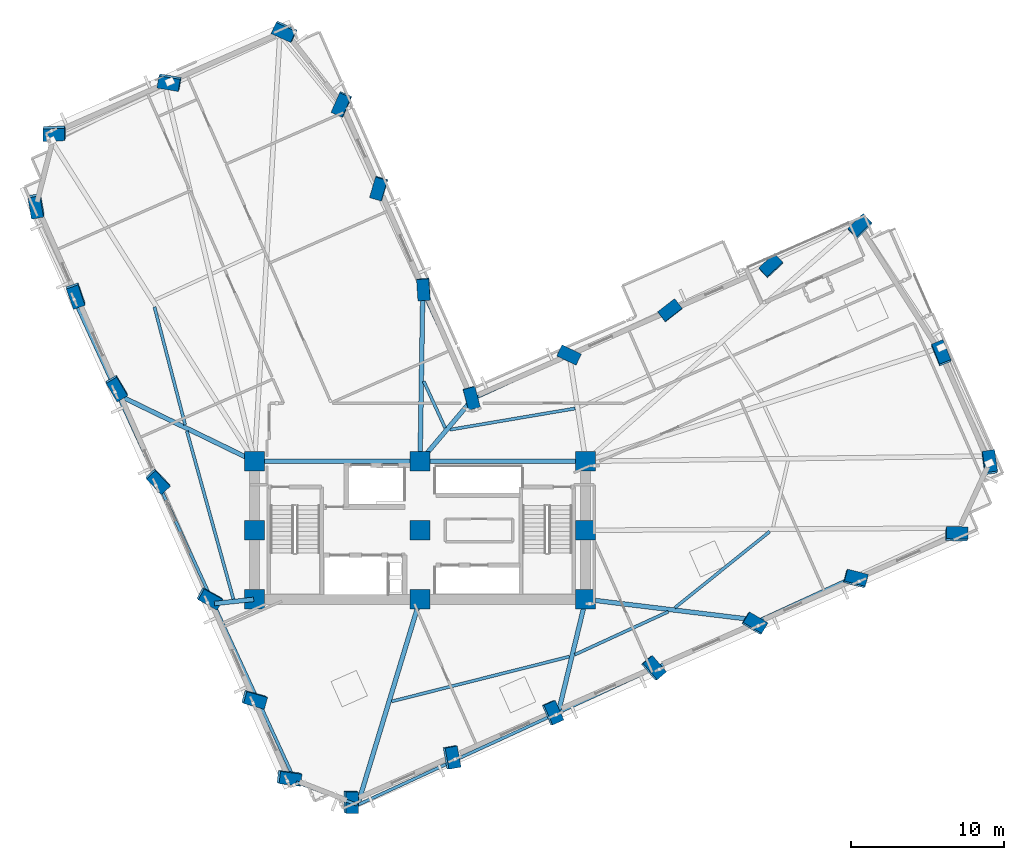
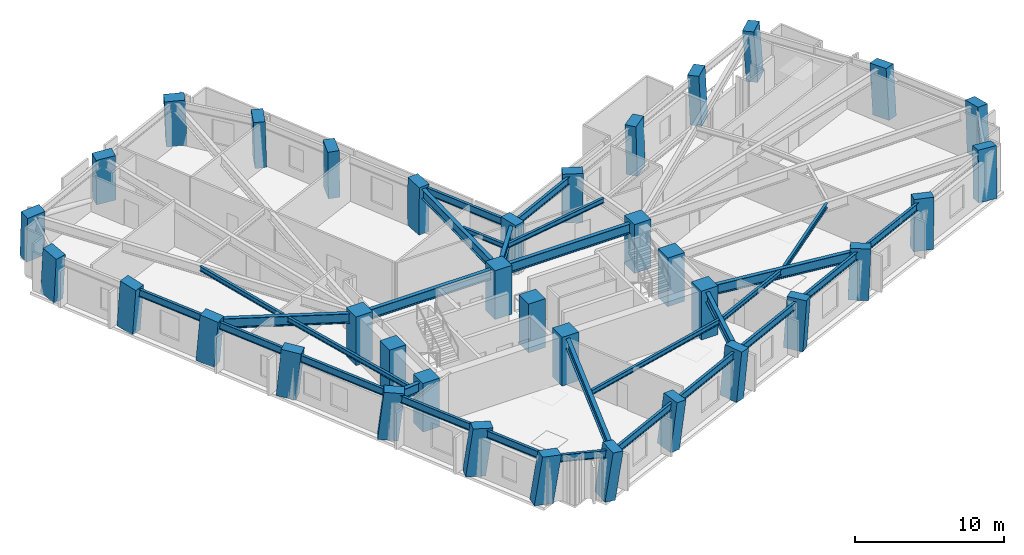
# One storey, part 1 of 15: 36 columns, 29 beams.
"""IFC4 building model written with IfcOpenShell, lengths in metres."""

from ifc_helpers import new_model, si_unit, direction, frame, origin, origin_2d, place, context, subcontext, project, spatial, rectangle, i_section, extrude, material, material_profile, profile_set, type_object, element, save


model = new_model("IFC4")

# Units and contexts
model_context = context("Model", 3, precision=1e-05, world=origin(), true_north=direction((0.0, 1.0)))
body_context = subcontext(model_context, "Body", "Model", "MODEL_VIEW")
ifc_project = project(units=[si_unit("LENGTHUNIT", "METRE"), si_unit("AREAUNIT", "SQUARE_METRE"), si_unit("VOLUMEUNIT", "CUBIC_METRE"), si_unit("PLANEANGLEUNIT", "RADIAN"), si_unit("MASSUNIT", "GRAM", prefix="KILO")], contexts=[model_context])

# Site, building, storey
site_placement = place(None, origin())
site = spatial("IfcSite", under=ifc_project, at=site_placement, CompositionType="ELEMENT")
building_placement = place(site_placement, origin())
building = spatial("IfcBuilding", under=site, at=building_placement, Name="Gaonmaruhae Medical Tower", CompositionType="ELEMENT")
storey_placement = place(building_placement, frame((0.0, 0.0, 124.39990234375)))
storey = spatial("IfcBuildingStorey", under=building, at=storey_placement, Name="L29", CompositionType="ELEMENT", Elevation=124.39990234375)

# Columns
ifc_material_1 = material(Name="Concrete C60/75", Category="concrete")
ifc_material_profile_1 = material_profile(ifc_material_1, rectangle(XDim=1.300048828125, YDim=1.300048828125, at=origin_2d()), Name="RC-1300x1300")
ifc_profile_set_1 = profile_set([ifc_material_profile_1], Name="Concrete C60/75")
column_type_1 = type_object("IfcColumnType", Name="CC-03 Zone 2 Core Column (RC-1300x1300)", PredefinedType="COLUMN", material=ifc_profile_set_1)
for number, where, z_axis, x_axis, name in (
    (1, (14.0, 7.800048828125, 0.0), (0.0, 0.0, 1.0), (1.0, 0.0, 0.0), "L29 Plumb Core Column CC11"),
    (2, (14.0, 12.300048828125, 0.0), (0.0, 0.0, 1.0), (1.0, 0.0, 0.0), "L29 Plumb Core Column CC12"),
    (3, (14.0, 16.800048828125, 0.0), (0.0, 0.0, 1.0), (1.0, 0.0, 0.0), "L29 Plumb Core Column CC13"),
    (4, (24.800048828125, 7.800048828125, 0.0), (0.0, 0.0, 1.0), (1.0, 0.0, 0.0), "L29 Plumb Core Column CC21"),
    (5, (24.800048828125, 12.300048828125, 0.0), (0.0, 0.0, 1.0), (1.0, 0.0, 0.0), "L29 Plumb Core Column CC22"),
    (6, (24.800048828125, 16.800048828125, 0.0), (0.0, 0.0, 1.0), (1.0, 0.0, 0.0), "L29 Plumb Core Column CC23"),
    (7, (35.60009765625, 7.800048828125, 0.0), (0.0, 0.0, 1.0), (1.0, 0.0, 0.0), "L29 Plumb Core Column CC31"),
    (8, (35.60009765625, 12.300048828125, 0.0), (0.0, 0.0, 1.0), (1.0, 0.0, 0.0), "L29 Plumb Core Column CC32"),
    (9, (35.60009765625, 16.800048828125, 0.0), (0.0, 0.0, 1.0), (1.0, 0.0, 0.0), "L29 Plumb Core Column CC33"),
):
    element("IfcColumn", number, at=place(storey_placement, frame(where, z_axis=z_axis, x_axis=x_axis)), inside=storey, type_object=column_type_1, Name=name, PredefinedType="COLUMN", context=body_context, shape_type="SweptSolid", body=[
        extrude(rectangle(XDim=1.300048828125, YDim=1.300048828125, at=origin_2d()), origin(), (0.0, 0.0, 1.0), 4.0),
    ])
ifc_material_profile_2 = material_profile(ifc_material_1, rectangle(XDim=1.39990234375, YDim=0.800048828125, at=origin_2d()), Name="RC-1400x800")
ifc_profile_set_2 = profile_set([ifc_material_profile_2], Name="Concrete C60/75")
column_type_2 = type_object("IfcColumnType", Name="TC-02 Mid Raking Tube Pier Column (RC-1400x800)", PredefinedType="COLUMN", material=ifc_profile_set_2)
column_1_placement = place(storey_placement, frame((20.227783203125, -5.392822265625, 0.001953125), z_axis=(0.124443123472, -0.053868861814, 0.990763369704), x_axis=(-0.002576192606, 0.998504255615, 0.05461332027)))
element("IfcColumn", 10, at=column_1_placement, inside=storey, type_object=column_type_2, Name="L29 Perimeter Tube Column S01", PredefinedType="COLUMN", context=body_context, shape_type="SweptSolid", body=[
    extrude(rectangle(XDim=1.39990234375, YDim=0.800048828125, at=origin_2d()), origin(), (0.0, 0.0, 1.0), 4.03369140625),
])
column_2_placement = place(storey_placement, frame((26.81787109375, -2.492919921875, 0.001953125), z_axis=(0.112622080348, -0.027002600083, 0.993270923065), x_axis=(-0.175601987701, 0.983355636674, 0.046643689138)))
element("IfcColumn", 11, at=column_2_placement, inside=storey, type_object=column_type_2, Name="L29 Perimeter Tube Column S02", PredefinedType="COLUMN", context=body_context, shape_type="SweptSolid", body=[
    extrude(rectangle(XDim=1.39990234375, YDim=0.800048828125, at=origin_2d()), origin(), (0.0, 0.0, 1.0), 4.0234375),
])
column_3_placement = place(storey_placement, frame((33.408203125, 0.40673828125, 0.001953125), z_axis=(0.10059290669, 6.0781213e-05, 0.994927667436), x_axis=(-0.401256809756, 0.915069194962, 0.040513467588)))
element("IfcColumn", 12, at=column_3_placement, inside=storey, type_object=column_type_2, Name="L29 Perimeter Tube Column S03", PredefinedType="COLUMN", context=body_context, shape_type="SweptSolid", body=[
    extrude(rectangle(XDim=1.39990234375, YDim=0.800048828125, at=origin_2d()), origin(), (0.0, 0.0, 1.0), 4.0166015625),
])
column_4_placement = place(storey_placement, frame((39.998291015625, 3.306640625, 0.001953125), z_axis=(0.088505859742, 0.027129631234, 0.995706129287), x_axis=(-0.651659272481, 0.757595016818, 0.037282476875)))
element("IfcColumn", 13, at=column_4_placement, inside=storey, type_object=column_type_2, Name="L29 Perimeter Tube Column S04", PredefinedType="COLUMN", context=body_context, shape_type="SweptSolid", body=[
    extrude(rectangle(XDim=1.39990234375, YDim=0.800048828125, at=origin_2d()), origin(), (0.0, 0.0, 1.0), 4.013671875),
])
column_5_placement = place(storey_placement, frame((46.588623046875, 6.20654296875, 0.001953125), z_axis=(0.076271906054, 0.054254019298, 0.995609912434), x_axis=(-0.857296932846, 0.513440266916, 0.037696965954)))
element("IfcColumn", 14, at=column_5_placement, inside=storey, type_object=column_type_2, Name="L29 Perimeter Tube Column S05", PredefinedType="COLUMN", context=body_context, shape_type="SweptSolid", body=[
    extrude(rectangle(XDim=1.39990234375, YDim=0.800048828125, at=origin_2d()), origin(), (0.0, 0.0, 1.0), 4.013916015625),
])
column_6_placement = place(storey_placement, frame((53.178955078125, 9.1064453125, 0.001953125), z_axis=(0.063984022053, 0.081240871306, 0.994638610628), x_axis=(-0.966927732484, 0.251626976768, 0.041648826096)))
element("IfcColumn", 15, at=column_6_placement, inside=storey, type_object=column_type_2, Name="L29 Perimeter Tube Column S06", PredefinedType="COLUMN", context=body_context, shape_type="SweptSolid", body=[
    extrude(rectangle(XDim=1.39990234375, YDim=0.800048828125, at=origin_2d()), origin(), (0.0, 0.0, 1.0), 4.017822265625),
])
column_7_placement = place(storey_placement, frame((59.76904296875, 12.006103515625, 0.001953125), z_axis=(0.051734907432, 0.108139906156, 0.992788628082), x_axis=(-0.998243901982, 0.0343235746, 0.048280476198)))
element("IfcColumn", 16, at=column_7_placement, inside=storey, type_object=column_type_2, Name="L29 Perimeter Tube Column S07", PredefinedType="COLUMN", context=body_context, shape_type="SweptSolid", body=[
    extrude(rectangle(XDim=1.39990234375, YDim=0.800048828125, at=origin_2d()), origin(), (0.0, 0.0, 1.0), 4.025390625),
])
column_8_placement = place(storey_placement, frame((61.923583984375, 16.668701171875, 0.001953125), z_axis=(0.032503072865, 0.116853398154, 0.992617163661), x_axis=(0.144542702737, -0.983250966895, 0.111017760678)))
element("IfcColumn", 17, at=column_8_placement, inside=storey, type_object=column_type_2, Name="L29 Perimeter Tube Column E01", PredefinedType="COLUMN", context=body_context, shape_type="SweptSolid", body=[
    extrude(rectangle(XDim=1.39990234375, YDim=0.800048828125, at=origin_2d()), origin(), (0.0, 0.0, 1.0), 4.026123046875),
])
column_9_placement = place(storey_placement, frame((58.7822265625, 23.80810546875, 0.001953125), z_axis=(0.003220286845, 0.103899820854, 0.99458255413), x_axis=(0.374351311084, -0.922392684735, 0.095146366388)))
element("IfcColumn", 18, at=column_9_placement, inside=storey, type_object=column_type_2, Name="L29 Perimeter Tube Column E02", PredefinedType="COLUMN", context=body_context, shape_type="SweptSolid", body=[
    extrude(rectangle(XDim=1.39990234375, YDim=0.800048828125, at=origin_2d()), origin(), (0.0, 0.0, 1.0), 4.01806640625),
])
column_10_placement = place(storey_placement, frame((53.50244140625, 32.08251953125, 0.001953125), z_axis=(-0.030732547572, 0.081973745701, 0.99616053703), x_axis=(-0.716218702977, -0.696984649229, 0.035258591087)))
element("IfcColumn", 19, at=column_10_placement, inside=storey, type_object=column_type_2, Name="L29 Perimeter Tube Column E03", PredefinedType="COLUMN", context=body_context, shape_type="SweptSolid", body=[
    extrude(rectangle(XDim=1.39990234375, YDim=0.800048828125, at=origin_2d()), origin(), (0.0, 0.0, 1.0), 4.01171875),
])
column_11_placement = place(storey_placement, frame((47.690185546875, 29.525146484375, 0.001953125), z_axis=(-0.02000000171, 0.058109761067, 0.998109841451), x_axis=(-0.734662083576, -0.677981575356, 0.024750887525)))
element("IfcColumn", 20, at=column_11_placement, inside=storey, type_object=column_type_2, Name="L29 Perimeter Tube Column EN01", PredefinedType="COLUMN", context=body_context, shape_type="SweptSolid", body=[
    extrude(rectangle(XDim=1.39990234375, YDim=0.800048828125, at=origin_2d()), origin(), (0.0, 0.0, 1.0), 4.00390625),
])
column_12_placement = place(storey_placement, frame((41.10009765625, 26.625244140625, 0.001953125), z_axis=(-0.007815657452, 0.031018390514, 0.999488256534), x_axis=(-0.789216489243, -0.613979935335, 0.012883016466)))
element("IfcColumn", 21, at=column_12_placement, inside=storey, type_object=column_type_2, Name="L29 Perimeter Tube Column EN02", PredefinedType="COLUMN", context=body_context, shape_type="SweptSolid", body=[
    extrude(rectangle(XDim=1.39990234375, YDim=0.800048828125, at=origin_2d()), origin(), (0.0, 0.0, 1.0), 3.998291015625),
])
column_13_placement = place(storey_placement, frame((34.509765625, 23.725341796875, 0.001953125), z_axis=(0.004459571961, 0.003848671693, 0.999982649822), x_axis=(-0.902915160406, 0.429812266681, 0.002372449991)))
element("IfcColumn", 22, at=column_13_placement, inside=storey, type_object=column_type_2, Name="L29 Perimeter Tube Column EN03", PredefinedType="COLUMN", context=body_context, shape_type="SweptSolid", body=[
    extrude(rectangle(XDim=1.39990234375, YDim=0.800048828125, at=origin_2d()), origin(), (0.0, 0.0, 1.0), 3.996337890625),
])
column_14_placement = place(storey_placement, frame((28.1484375, 20.92626953125, 0.001953125), z_axis=(0.016243980514, -0.022472875297, 0.999615477558), x_axis=(-0.252034809293, 0.967373020719, 0.025843639251)))
element("IfcColumn", 23, at=column_14_placement, inside=storey, type_object=column_type_2, Name="L29 Perimeter Tube Column KN01", PredefinedType="COLUMN", context=body_context, shape_type="SweptSolid", body=[
    extrude(rectangle(XDim=1.39990234375, YDim=0.800048828125, at=origin_2d()), origin(), (0.0, 0.0, 1.0), 3.997802734375),
])
column_15_placement = place(storey_placement, frame((25.027099609375, 28.02001953125, 0.001953125), z_axis=(-0.013064065171, -0.03565146757, 0.999278891532), x_axis=(-0.063457059536, 0.997379243296, 0.034754088053)))
element("IfcColumn", 24, at=column_15_placement, inside=storey, type_object=column_type_2, Name="L29 Perimeter Tube Column NE01", PredefinedType="COLUMN", context=body_context, shape_type="SweptSolid", body=[
    extrude(rectangle(XDim=1.39990234375, YDim=0.800048828125, at=origin_2d()), origin(), (0.0, 0.0, 1.0), 3.999267578125),
])
column_16_placement = place(storey_placement, frame((22.127197265625, 34.610107421875, 0.001953125), z_axis=(-0.040180454618, -0.047801936905, 0.998048348476), x_axis=(0.279502323425, 0.958442212202, 0.057157476053)))
element("IfcColumn", 25, at=column_16_placement, inside=storey, type_object=column_type_2, Name="L29 Perimeter Tube Column NE02", PredefinedType="COLUMN", context=body_context, shape_type="SweptSolid", body=[
    extrude(rectangle(XDim=1.39990234375, YDim=0.800048828125, at=origin_2d()), origin(), (0.0, 0.0, 1.0), 4.004150390625),
])
column_17_placement = place(storey_placement, frame((19.710693359375, 40.10205078125, 0.001953125), z_axis=(-0.0626943162, -0.057885723015, 0.996352681427), x_axis=(0.396835249314, 0.914560833815, 0.078104200608)))
element("IfcColumn", 26, at=column_17_placement, inside=storey, type_object=column_type_2, Name="L29 Perimeter Tube Column NE03", PredefinedType="COLUMN", context=body_context, shape_type="SweptSolid", body=[
    extrude(rectangle(XDim=1.39990234375, YDim=0.800048828125, at=origin_2d()), origin(), (0.0, 0.0, 1.0), 4.010986328125),
])
column_18_placement = place(storey_placement, frame((15.981689453125, 44.8525390625, 0.001953125), z_axis=(-0.082033174961, -0.073289446468, 0.993931192408), x_axis=(0.908341058248, -0.415877043565, 0.044303572491)))
element("IfcColumn", 27, at=column_18_placement, inside=storey, type_object=column_type_2, Name="L29 Perimeter Tube Column N01", PredefinedType="COLUMN", context=body_context, shape_type="SweptSolid", body=[
    extrude(rectangle(XDim=1.39990234375, YDim=0.800048828125, at=origin_2d()), origin(), (0.0, 0.0, 1.0), 4.020751953125),
])
column_19_placement = place(storey_placement, frame((8.47607421875, 41.5498046875, 0.001953125), z_axis=(-0.068013636446, -0.103899619312, 0.992259549898), x_axis=(0.984695690067, -0.166952204506, 0.050013591895)))
element("IfcColumn", 28, at=column_19_placement, inside=storey, type_object=column_type_2, Name="L29 Perimeter Tube Column N02", PredefinedType="COLUMN", context=body_context, shape_type="SweptSolid", body=[
    extrude(rectangle(XDim=1.39990234375, YDim=0.800048828125, at=origin_2d()), origin(), (0.0, 0.0, 1.0), 4.027587890625),
])
column_20_placement = place(storey_placement, frame((0.970703125, 38.247314453125, 0.001953125), z_axis=(-0.05404001338, -0.134314216701, 0.989464182346), x_axis=(0.997904403468, 0.028051460291, 0.058308808203)))
element("IfcColumn", 29, at=column_20_placement, inside=storey, type_object=column_type_2, Name="L29 Perimeter Tube Column N03", PredefinedType="COLUMN", context=body_context, shape_type="SweptSolid", body=[
    extrude(rectangle(XDim=1.39990234375, YDim=0.800048828125, at=origin_2d()), origin(), (0.0, 0.0, 1.0), 4.038818359375),
])
column_21_placement = place(storey_placement, frame((-0.224609375, 33.51513671875, 0.001953125), z_axis=(-0.034643865826, -0.139059147293, 0.989677905237), x_axis=(-0.171816784218, 0.976356827789, 0.131172929718)))
element("IfcColumn", 30, at=column_21_placement, inside=storey, type_object=column_type_2, Name="L29 Perimeter Tube Column W01", PredefinedType="COLUMN", context=body_context, shape_type="SweptSolid", body=[
    extrude(rectangle(XDim=1.39990234375, YDim=0.800048828125, at=origin_2d()), origin(), (0.0, 0.0, 1.0), 4.0380859375),
])
column_22_placement = place(storey_placement, frame((2.35302734375, 27.6572265625, 0.001953125), z_axis=(-0.010722776327, -0.128552154608, 0.991644777939), x_axis=(-0.325904962482, 0.938000273676, 0.118073883706)))
element("IfcColumn", 31, at=column_22_placement, inside=storey, type_object=column_type_2, Name="L29 Perimeter Tube Column W02", PredefinedType="COLUMN", context=body_context, shape_type="SweptSolid", body=[
    extrude(rectangle(XDim=1.39990234375, YDim=0.800048828125, at=origin_2d()), origin(), (0.0, 0.0, 1.0), 4.030029296875),
])
column_23_placement = place(storey_placement, frame((5.010986328125, 21.615966796875, 0.001953125), z_axis=(0.014134085479, -0.117561620848, 0.992965000859), x_axis=(-0.508356859263, 0.854299122945, 0.108380404941)))
element("IfcColumn", 32, at=column_23_placement, inside=storey, type_object=column_type_2, Name="L29 Perimeter Tube Column W03", PredefinedType="COLUMN", context=body_context, shape_type="SweptSolid", body=[
    extrude(rectangle(XDim=1.39990234375, YDim=0.800048828125, at=origin_2d()), origin(), (0.0, 0.0, 1.0), 4.024658203125),
])
column_24_placement = place(storey_placement, frame((7.689453125, 15.529296875, 0.001953125), z_axis=(0.039028472519, -0.106402663027, 0.993556868847), x_axis=(-0.691283232583, 0.715098751962, 0.103736528239)))
element("IfcColumn", 33, at=column_24_placement, inside=storey, type_object=column_type_2, Name="L29 Perimeter Tube Column W04", PredefinedType="COLUMN", context=body_context, shape_type="SweptSolid", body=[
    extrude(rectangle(XDim=1.39990234375, YDim=0.800048828125, at=origin_2d()), origin(), (0.0, 0.0, 1.0), 4.022216796875),
])
column_25_placement = place(storey_placement, frame((11.052490234375, 7.886474609375, 0.001953125), z_axis=(0.070387084665, -0.092231352319, 0.993246714549), x_axis=(-0.871708970216, 0.478378450059, 0.106195714432)))
element("IfcColumn", 34, at=column_25_placement, inside=storey, type_object=column_type_2, Name="L29 Perimeter Tube Column W05", PredefinedType="COLUMN", context=body_context, shape_type="SweptSolid", body=[
    extrude(rectangle(XDim=1.39990234375, YDim=0.800048828125, at=origin_2d()), origin(), (0.0, 0.0, 1.0), 4.0234375),
])
column_26_placement = place(storey_placement, frame((13.9521484375, 1.296142578125, 0.001953125), z_axis=(0.097330509628, -0.079997679146, 0.992031825713), x_axis=(-0.957211163691, 0.265421525912, 0.115317829012)))
element("IfcColumn", 35, at=column_26_placement, inside=storey, type_object=column_type_2, Name="L29 Perimeter Tube Column W06", PredefinedType="COLUMN", context=body_context, shape_type="SweptSolid", body=[
    extrude(rectangle(XDim=1.39990234375, YDim=0.800048828125, at=origin_2d()), origin(), (0.0, 0.0, 1.0), 4.0283203125),
])
column_27_placement = place(storey_placement, frame((16.207763671875, -3.82958984375, 0.001953125), z_axis=(0.118116758565, -0.07043437857, 0.990498576305), x_axis=(-0.984952502793, 0.118421739612, 0.12587636327)))
element("IfcColumn", 36, at=column_27_placement, inside=storey, type_object=column_type_2, Name="L29 Perimeter Tube Column W07", PredefinedType="COLUMN", context=body_context, shape_type="SweptSolid", body=[
    extrude(rectangle(XDim=1.39990234375, YDim=0.800048828125, at=origin_2d()), origin(), (0.0, 0.0, 1.0), 4.03466796875),
])

# Beams
ifc_material_2 = material(Name="Steel SM355", Category="steel")
ifc_material_profile_3 = material_profile(ifc_material_2, i_section(OverallWidth=0.199951171875, OverallDepth=0.39990234375, WebThickness=0.008056640625, FlangeThickness=0.012939453125, FilletRadius=0.012939453125, at=origin_2d()), Name="H-400x200x8x13")
ifc_profile_set_3 = profile_set([ifc_material_profile_3], Name="Steel SM355")
beam_type_1 = type_object("IfcBeamType", Name="FJ-01 Lower Zone Ward Floor Joist (H-400x200x8x13)", PredefinedType="JOIST", material=ifc_profile_set_3)
beam_1_placement = place(storey_placement, frame((22.9404296875, 1.13916015625, 3.580078125), z_axis=(0.969698933713, 0.244303045326, 0.0), x_axis=(-0.244303045326, 0.969698933713, 0.0)))
element("IfcBeam", 37, at=beam_1_placement, inside=storey, type_object=beam_type_1, Name="L29 Secondary Floor Joist FJ01", PredefinedType="JOIST", context=body_context, shape_type="SweptSolid", body=[
    extrude(i_section(OverallWidth=0.199951171875, OverallDepth=0.39990234375, WebThickness=0.008056640625, FlangeThickness=0.012939453125, FilletRadius=0.012939453125, at=origin_2d()), origin(), (0.0, 0.0, 1.0), 11.9580078125),
])
beam_2_placement = place(storey_placement, frame((34.88525390625, 4.185791015625, 3.580078125), z_axis=(0.908498463388, 0.417888193206, 0.0), x_axis=(-0.417888193206, 0.908498463388, 0.0)))
element("IfcBeam", 38, at=beam_2_placement, inside=storey, type_object=beam_type_1, Name="L29 Secondary Floor Joist FJ02", PredefinedType="JOIST", context=body_context, shape_type="SweptSolid", body=[
    extrude(i_section(OverallWidth=0.199951171875, OverallDepth=0.39990234375, WebThickness=0.008056640625, FlangeThickness=0.012939453125, FilletRadius=0.012939453125, at=origin_2d()), origin(), (0.0, 0.0, 1.0), 6.7109375),
])
beam_3_placement = place(storey_placement, frame((41.415283203125, 7.2470703125, 3.580078125), z_axis=(0.779388935157, 0.626540411909, 0.0), x_axis=(-0.626540411909, 0.779388935157, 0.0)))
element("IfcBeam", 39, at=beam_3_placement, inside=storey, type_object=beam_type_1, Name="L29 Secondary Floor Joist FJ03", PredefinedType="JOIST", context=body_context, shape_type="SweptSolid", body=[
    extrude(i_section(OverallWidth=0.199951171875, OverallDepth=0.39990234375, WebThickness=0.008056640625, FlangeThickness=0.012939453125, FilletRadius=0.012939453125, at=origin_2d()), origin(), (0.0, 0.0, 1.0), 7.930419921875),
])
beam_4_placement = place(storey_placement, frame((34.909912109375, 20.244140625, 3.580078125), z_axis=(-0.985907022262, -0.16729418237, 0.0), x_axis=(0.16729418237, -0.985907022262, 0.0)))
element("IfcBeam", 40, at=beam_4_placement, inside=storey, type_object=beam_type_1, Name="L29 Secondary Floor Joist FJ08", PredefinedType="JOIST", context=body_context, shape_type="SweptSolid", body=[
    extrude(i_section(OverallWidth=0.199951171875, OverallDepth=0.39990234375, WebThickness=0.008056640625, FlangeThickness=0.012939453125, FilletRadius=0.012939453125, at=origin_2d()), origin(), (0.0, 0.0, 1.0), 8.28466796875),
])
beam_5_placement = place(storey_placement, frame((26.43505859375, 18.97412109375, 3.580078125), z_axis=(-0.417916434234, 0.90848547264, 0.0), x_axis=(-0.90848547264, -0.417916434234, 0.0)))
element("IfcBeam", 41, at=beam_5_placement, inside=storey, type_object=beam_type_1, Name="L29 Secondary Floor Joist FJ09", PredefinedType="JOIST", context=body_context, shape_type="SweptSolid", body=[
    extrude(i_section(OverallWidth=0.199951171875, OverallDepth=0.39990234375, WebThickness=0.008056640625, FlangeThickness=0.012939453125, FilletRadius=0.012939453125, at=origin_2d()), origin(), (0.0, 0.0, 1.0), 3.350341796875),
])
beam_6_placement = place(storey_placement, frame((7.47705078125, 26.864501953125, 3.580078125), z_axis=(0.252173218546, -0.967682110948, 0.0), x_axis=(0.967682110948, 0.252173218546, 0.0)))
element("IfcBeam", 42, at=beam_6_placement, inside=storey, type_object=beam_type_1, Name="L29 Secondary Floor Joist FJ13", PredefinedType="JOIST", context=body_context, shape_type="SweptSolid", body=[
    extrude(i_section(OverallWidth=0.199951171875, OverallDepth=0.39990234375, WebThickness=0.008056640625, FlangeThickness=0.012939453125, FilletRadius=0.012939453125, at=origin_2d()), origin(), (0.0, 0.0, 1.0), 7.953369140625),
])
beam_7_placement = place(storey_placement, frame((9.5888671875, 18.77294921875, 3.580078125), z_axis=(0.266954212417, -0.963709213649, 0.0), x_axis=(0.963709213649, 0.266954212417, 0.0)))
element("IfcBeam", 43, at=beam_7_placement, inside=storey, type_object=beam_type_1, Name="L29 Secondary Floor Joist FJ14", PredefinedType="JOIST", context=body_context, shape_type="SweptSolid", body=[
    extrude(i_section(OverallWidth=0.199951171875, OverallDepth=0.39990234375, WebThickness=0.008056640625, FlangeThickness=0.012939453125, FilletRadius=0.012939453125, at=origin_2d()), origin(), (0.0, 0.0, 1.0), 11.3759765625),
])
ifc_material_3 = material(Name="Steel SM420", Category="steel")
ifc_material_profile_4 = material_profile(ifc_material_3, i_section(OverallWidth=0.300048828125, OverallDepth=0.800048828125, WebThickness=0.013916015625, FlangeThickness=0.02587890625, FilletRadius=0.01806640625, at=origin_2d()), Name="H-800x300x14x26")
ifc_profile_set_4 = profile_set([ifc_material_profile_4], Name="Steel SM420")
beam_type_2 = type_object("IfcBeamType", Name="PG-02 Zone 2 Radial Floor Girder (H-800x300x14x26)", PredefinedType="BEAM", material=ifc_profile_set_4)
for number, where, z_axis, x_axis, name in (
    (44, (14.050048828125, 16.800048828125, 3.380126953125), (1.0, 0.0, 0.0), (0.0, 1.0, 0.0), "L29 Beam BM-L29-CG-N1"),
    (45, (24.85009765625, 16.800048828125, 3.380126953125), (1.0, 0.0, 0.0), (0.0, 1.0, 0.0), "L29 Beam BM-L29-CG-N2"),
):
    element("IfcBeam", number, at=place(storey_placement, frame(where, z_axis=z_axis, x_axis=x_axis)), inside=storey, type_object=beam_type_2, Name=name, PredefinedType="BEAM", context=body_context, shape_type="SweptSolid", body=[
        extrude(i_section(OverallWidth=0.300048828125, OverallDepth=0.800048828125, WebThickness=0.013916015625, FlangeThickness=0.02587890625, FilletRadius=0.01806640625, at=origin_2d()), origin(), (0.0, 0.0, 1.0), 10.699951171875),
    ])
beam_8_placement = place(storey_placement, frame((24.785400390625, 7.752197265625, 3.380126953125), z_axis=(-0.290419349726, -0.956899472936, 0.0), x_axis=(0.956899472936, -0.290419349726, 0.0)))
element("IfcBeam", 46, at=beam_8_placement, inside=storey, type_object=beam_type_2, Name="L29 Radial Primary Girder S01", PredefinedType="BEAM", context=body_context, shape_type="SweptSolid", body=[
    extrude(i_section(OverallWidth=0.300048828125, OverallDepth=0.800048828125, WebThickness=0.013916015625, FlangeThickness=0.02587890625, FilletRadius=0.01806640625, at=origin_2d()), origin(), (0.0, 0.0, 1.0), 13.914306640625),
])
beam_9_placement = place(storey_placement, frame((35.588134765625, 7.75146484375, 3.380126953125), z_axis=(-0.234997677922, -0.971995931767, 0.0), x_axis=(0.971995931767, -0.234997677922, 0.0)))
element("IfcBeam", 47, at=beam_9_placement, inside=storey, type_object=beam_type_2, Name="L29 Radial Primary Girder S03", PredefinedType="BEAM", context=body_context, shape_type="SweptSolid", body=[
    extrude(i_section(OverallWidth=0.300048828125, OverallDepth=0.800048828125, WebThickness=0.013916015625, FlangeThickness=0.02587890625, FilletRadius=0.01806640625, at=origin_2d()), origin(), (0.0, 0.0, 1.0), 7.506103515625),
])
beam_10_placement = place(storey_placement, frame((35.649658203125, 7.7939453125, 3.380126953125), z_axis=(0.99266521476, -0.120895704663, 0.0), x_axis=(0.120895704663, 0.99266521476, 0.0)))
element("IfcBeam", 48, at=beam_10_placement, inside=storey, type_object=beam_type_2, Name="L29 Radial Primary Girder S05", PredefinedType="BEAM", context=body_context, shape_type="SweptSolid", body=[
    extrude(i_section(OverallWidth=0.300048828125, OverallDepth=0.800048828125, WebThickness=0.013916015625, FlangeThickness=0.02587890625, FilletRadius=0.01806640625, at=origin_2d()), origin(), (0.0, 0.0, 1.0), 11.278564453125),
])
beam_11_placement = place(storey_placement, frame((24.832275390625, 16.838134765625, 3.380126953125), z_axis=(0.645710089514, 0.763582661078, 0.0), x_axis=(-0.763582661078, 0.645710089514, 0.0)))
element("IfcBeam", 49, at=beam_11_placement, inside=storey, type_object=beam_type_2, Name="L29 Radial Primary Girder KN01", PredefinedType="BEAM", context=body_context, shape_type="SweptSolid", body=[
    extrude(i_section(OverallWidth=0.300048828125, OverallDepth=0.800048828125, WebThickness=0.013916015625, FlangeThickness=0.02587890625, FilletRadius=0.01806640625, at=origin_2d()), origin(), (0.0, 0.0, 1.0), 5.186279296875),
])
beam_12_placement = place(storey_placement, frame((24.80078125, 16.85009765625, 3.380126953125), z_axis=(0.015788792962, 0.999875349239, 0.0), x_axis=(-0.999875349239, 0.015788792962, 0.0)))
element("IfcBeam", 50, at=beam_12_placement, inside=storey, type_object=beam_type_2, Name="L29 Radial Primary Girder NE01", PredefinedType="BEAM", context=body_context, shape_type="SweptSolid", body=[
    extrude(i_section(OverallWidth=0.300048828125, OverallDepth=0.800048828125, WebThickness=0.013916015625, FlangeThickness=0.02587890625, FilletRadius=0.01806640625, at=origin_2d()), origin(), (0.0, 0.0, 1.0), 10.978759765625),
])
beam_13_placement = place(storey_placement, frame((13.955078125, 16.82177734375, 3.380126953125), z_axis=(-0.899338290145, 0.437253519001, 0.0), x_axis=(-0.437253519001, -0.899338290145, 0.0)))
element("IfcBeam", 51, at=beam_13_placement, inside=storey, type_object=beam_type_2, Name="L29 Radial Primary Girder W03", PredefinedType="BEAM", context=body_context, shape_type="SweptSolid", body=[
    extrude(i_section(OverallWidth=0.300048828125, OverallDepth=0.800048828125, WebThickness=0.013916015625, FlangeThickness=0.02587890625, FilletRadius=0.01806640625, at=origin_2d()), origin(), (0.0, 0.0, 1.0), 9.83203125),
])
beam_14_placement = place(storey_placement, frame((13.9501953125, 7.794677734375, 3.380126953125), z_axis=(-0.994334549547, -0.106295830475, 0.0), x_axis=(0.106295830475, -0.994334549547, 0.0)))
element("IfcBeam", 52, at=beam_14_placement, inside=storey, type_object=beam_type_2, Name="L29 Radial Primary Girder W05", PredefinedType="BEAM", context=body_context, shape_type="SweptSolid", body=[
    extrude(i_section(OverallWidth=0.300048828125, OverallDepth=0.800048828125, WebThickness=0.013916015625, FlangeThickness=0.02587890625, FilletRadius=0.01806640625, at=origin_2d()), origin(), (0.0, 0.0, 1.0), 2.579345703125),
])
ifc_material_profile_5 = material_profile(ifc_material_2, i_section(OverallWidth=0.199951171875, OverallDepth=0.60009765625, WebThickness=0.010986328125, FlangeThickness=0.01708984375, FilletRadius=0.012939453125, at=origin_2d()), Name="H-600x200x11x17")
ifc_profile_set_5 = profile_set([ifc_material_profile_5], Name="Steel SM355")
beam_type_3 = type_object("IfcBeamType", Name="SP-01 Lower Perimeter Spandrel Beam (H-600x200x11x17)", PredefinedType="SPANDREL", material=ifc_profile_set_5)
for number, where, z_axis, x_axis, name in (
    (53, (20.766357421875, -5.593505859375, 3.47998046875), (0.908512583091, 0.417857495284, 0.0), (-0.417857495284, 0.908512583091, 0.0), "L29 Perimeter Spandrel Beam S01-S02"),
    (54, (27.3076171875, -2.5849609375, 3.47998046875), (0.908499565379, 0.417885797444, 0.0), (-0.417885797444, 0.908499565379, 0.0), "L29 Perimeter Spandrel Beam S02-S03"),
    (55, (33.848876953125, 0.423828125, 3.47998046875), (0.908512583091, 0.417857495284, 0.0), (-0.417857495284, 0.908512583091, 0.0), "L29 Perimeter Spandrel Beam S03-S04"),
    (56, (40.39013671875, 3.432373046875, 3.47998046875), (0.908499565379, 0.417885797444, 0.0), (-0.417885797444, 0.908499565379, 0.0), "L29 Perimeter Spandrel Beam S04-S05"),
    (57, (46.931396484375, 6.44091796875, 3.47998046875), (0.908499565379, 0.417885797444, 0.0), (-0.417885797444, 0.908499565379, 0.0), "L29 Perimeter Spandrel Beam S05-S06"),
):
    element("IfcBeam", number, at=place(storey_placement, frame(where, z_axis=z_axis, x_axis=x_axis)), inside=storey, type_object=beam_type_3, Name=name, PredefinedType="SPANDREL", context=body_context, shape_type="SweptSolid", body=[
        extrude(i_section(OverallWidth=0.199951171875, OverallDepth=0.60009765625, WebThickness=0.010986328125, FlangeThickness=0.01708984375, FilletRadius=0.012939453125, at=origin_2d()), origin(), (0.0, 0.0, 1.0), 7.119873046875),
    ])
beam_15_placement = place(storey_placement, frame((34.4912109375, 23.723876953125, 3.47998046875), z_axis=(-0.908516086304, -0.417849878457, 0.0), x_axis=(0.417849878457, -0.908516086304, 0.0)))
element("IfcBeam", 58, at=beam_15_placement, inside=storey, type_object=beam_type_3, Name="L29 Perimeter Spandrel Beam EN03-KN01", PredefinedType="SPANDREL", context=body_context, shape_type="SweptSolid", body=[
    extrude(i_section(OverallWidth=0.199951171875, OverallDepth=0.60009765625, WebThickness=0.010986328125, FlangeThickness=0.01708984375, FilletRadius=0.012939453125, at=origin_2d()), origin(), (0.0, 0.0, 1.0), 6.869873046875),
])
beam_16_placement = place(storey_placement, frame((28.19677734375, 20.872802734375, 3.47998046875), z_axis=(-0.417870929591, 0.908506404052, 0.0), x_axis=(-0.908506404052, -0.417870929591, 0.0)))
element("IfcBeam", 59, at=beam_16_placement, inside=storey, type_object=beam_type_3, Name="L29 Perimeter Spandrel Beam KN01-NE01", PredefinedType="SPANDREL", context=body_context, shape_type="SweptSolid", body=[
    extrude(i_section(OverallWidth=0.199951171875, OverallDepth=0.60009765625, WebThickness=0.010986328125, FlangeThickness=0.01708984375, FilletRadius=0.012939453125, at=origin_2d()), origin(), (0.0, 0.0, 1.0), 7.669921875),
])
beam_17_placement = place(storey_placement, frame((2.32666015625, 27.1025390625, 3.47998046875), z_axis=(0.417844415199, -0.908518598977, 0.0), x_axis=(0.908518598977, 0.417844415199, 0.0)))
element("IfcBeam", 60, at=beam_17_placement, inside=storey, type_object=beam_type_3, Name="L29 Perimeter Spandrel Beam W02-W03", PredefinedType="SPANDREL", context=body_context, shape_type="SweptSolid", body=[
    extrude(i_section(OverallWidth=0.199951171875, OverallDepth=0.60009765625, WebThickness=0.010986328125, FlangeThickness=0.01708984375, FilletRadius=0.012939453125, at=origin_2d()), origin(), (0.0, 0.0, 1.0), 6.52001953125),
])
beam_18_placement = place(storey_placement, frame((5.08447265625, 21.1064453125, 3.47998046875), z_axis=(0.417858376236, -0.908512177909, 0.0), x_axis=(0.908512177909, 0.417858376236, 0.0)))
element("IfcBeam", 61, at=beam_18_placement, inside=storey, type_object=beam_type_3, Name="L29 Perimeter Spandrel Beam W03-W04", PredefinedType="SPANDREL", context=body_context, shape_type="SweptSolid", body=[
    extrude(i_section(OverallWidth=0.199951171875, OverallDepth=0.60009765625, WebThickness=0.010986328125, FlangeThickness=0.01708984375, FilletRadius=0.012939453125, at=origin_2d()), origin(), (0.0, 0.0, 1.0), 6.570068359375),
])
beam_19_placement = place(storey_placement, frame((7.86328125, 15.064697265625, 3.47998046875), z_axis=(0.417880267518, -0.908502108979, 0.0), x_axis=(0.908502108979, 0.417880267518, 0.0)))
element("IfcBeam", 62, at=beam_19_placement, inside=storey, type_object=beam_type_3, Name="L29 Perimeter Spandrel Beam W04-W05", PredefinedType="SPANDREL", context=body_context, shape_type="SweptSolid", body=[
    extrude(i_section(OverallWidth=0.199951171875, OverallDepth=0.60009765625, WebThickness=0.010986328125, FlangeThickness=0.01708984375, FilletRadius=0.012939453125, at=origin_2d()), origin(), (0.0, 0.0, 1.0), 8.269775390625),
])
beam_20_placement = place(storey_placement, frame((11.3525390625, 7.478759765625, 3.47998046875), z_axis=(0.417857495284, -0.908512583091, 0.0), x_axis=(0.908512583091, 0.417857495284, 0.0)))
element("IfcBeam", 63, at=beam_20_placement, inside=storey, type_object=beam_type_3, Name="L29 Perimeter Spandrel Beam W05-W06", PredefinedType="SPANDREL", context=body_context, shape_type="SweptSolid", body=[
    extrude(i_section(OverallWidth=0.199951171875, OverallDepth=0.60009765625, WebThickness=0.010986328125, FlangeThickness=0.01708984375, FilletRadius=0.012939453125, at=origin_2d()), origin(), (0.0, 0.0, 1.0), 7.119873046875),
])
beam_21_placement = place(storey_placement, frame((14.361083984375, 0.9375, 3.47998046875), z_axis=(0.417874214111, -0.908504893317, 0.0), x_axis=(0.908504893317, 0.417874214111, 0.0)))
element("IfcBeam", 64, at=beam_21_placement, inside=storey, type_object=beam_type_3, Name="L29 Perimeter Spandrel Beam W06-W07", PredefinedType="SPANDREL", context=body_context, shape_type="SweptSolid", body=[
    extrude(i_section(OverallWidth=0.199951171875, OverallDepth=0.60009765625, WebThickness=0.010986328125, FlangeThickness=0.01708984375, FilletRadius=0.012939453125, at=origin_2d()), origin(), (0.0, 0.0, 1.0), 5.52001953125),
])
beam_22_placement = place(storey_placement, frame((16.721923828125, -4.127685546875, 3.47998046875), z_axis=(0.937886427033, -0.346942430365, 0.0), x_axis=(0.346942430365, 0.937886427033, 0.0)))
element("IfcBeam", 65, at=beam_22_placement, inside=storey, type_object=beam_type_3, Name="L29 Perimeter Spandrel Beam W07-S01", PredefinedType="SPANDREL", context=body_context, shape_type="SweptSolid", body=[
    extrude(i_section(OverallWidth=0.199951171875, OverallDepth=0.60009765625, WebThickness=0.010986328125, FlangeThickness=0.01708984375, FilletRadius=0.012939453125, at=origin_2d()), origin(), (0.0, 0.0, 1.0), 4.2333984375),
])

save(model, "model.ifc")
